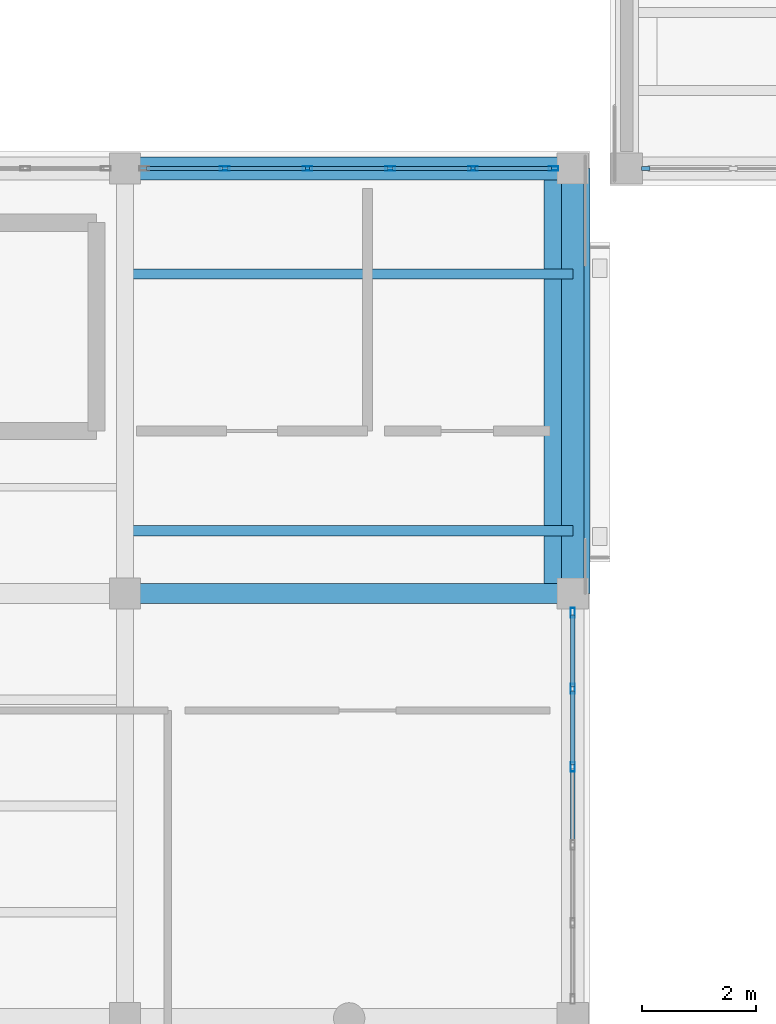
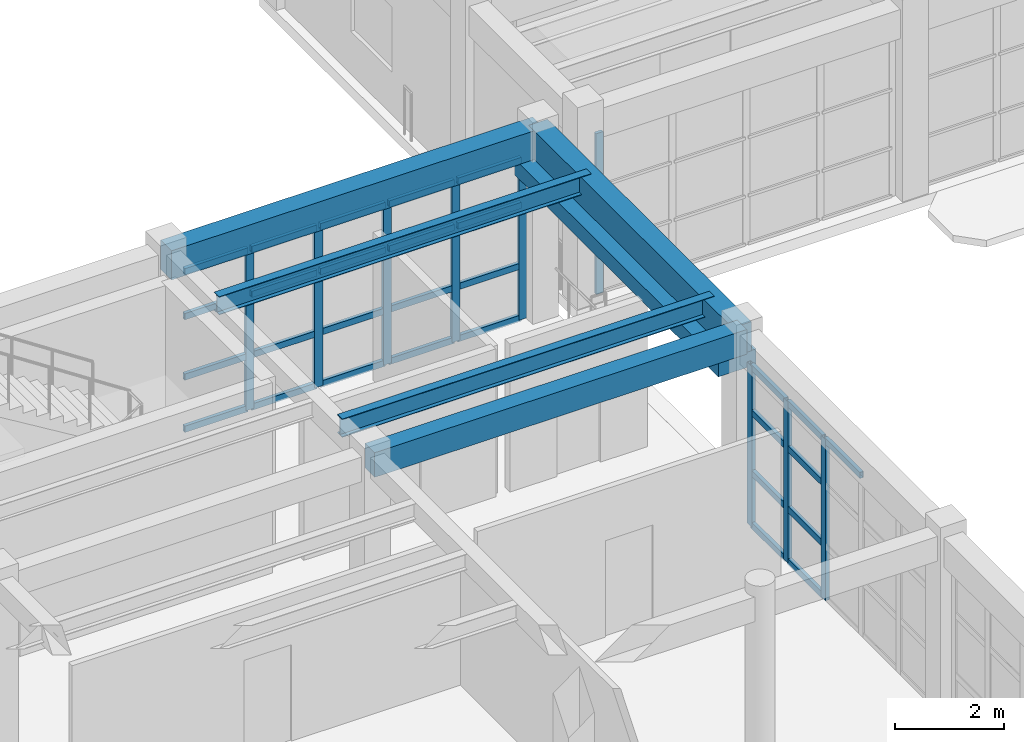
# One storey, part 15 of 85: 38 members, 6 beams, 3 elements without a shape of their own.
"""IFC4 building model written with IfcOpenShell, lengths in metres."""

from ifc_helpers import new_model, si_unit, direction, frame, origin, origin_2d, place, context, subcontext, project, spatial, rectangle, hollow_rectangle, i_section, extrude, material, layer, layer_set, material_profile, profile_set, type_object, element, aggregate, save


model = new_model("IFC4")

# Units and contexts
model_context = context("Model", 3, precision=1e-05, world=origin(), true_north=direction((0.0, 1.0)))
body_context = subcontext(model_context, "Body", "Model", "MODEL_VIEW")
ifc_project = project(units=[si_unit("LENGTHUNIT", "METRE"), si_unit("AREAUNIT", "SQUARE_METRE"), si_unit("VOLUMEUNIT", "CUBIC_METRE"), si_unit("PLANEANGLEUNIT", "RADIAN"), si_unit("MASSUNIT", "GRAM", prefix="KILO")], contexts=[model_context])

# Site, building, storey
site_placement = place(None, origin())
site = spatial("IfcSite", under=ifc_project, at=site_placement, CompositionType="ELEMENT")
building_placement = place(site_placement, origin())
building = spatial("IfcBuilding", under=site, at=building_placement, Name="Candilejo Ridge Gondola Terminal", CompositionType="ELEMENT")
storey_placement = place(building_placement, frame((0.0, 0.0, 4.5)))
storey = spatial("IfcBuildingStorey", under=building, at=storey_placement, Name="L01", CompositionType="ELEMENT", Elevation=4.5)

# Curtain wall, members
ifc_material_1 = material(Name="Anodised aluminium AA 6063-T6", Category="aluminium")
ifc_layer_1 = layer(ifc_material_1, 0.169921875)
ifc_layer_set_1 = layer_set([ifc_layer_1], Name="ARC-CW-CONCOURSE-3600-725X359")
curtain_wall_type_1 = type_object("IfcCurtainWallType", Name="ARC-CW-CONCOURSE-3600-725X359", PredefinedType="NOTDEFINED", material=ifc_layer_set_1)
curtain_wall_1_placement = place(storey_placement, origin())
curtain_wall_1 = element("IfcCurtainWall", 1, at=curtain_wall_1_placement, inside=storey, type_object=curtain_wall_type_1, Name="Curtain wall V1 L01-018", PredefinedType="NOTDEFINED")
ifc_material_2 = material(Name="Anodised aluminium AA 6063-T6", Category="aluminium")
ifc_material_profile_1 = material_profile(ifc_material_2, hollow_rectangle(XDim=0.074951171875, YDim=0.169921875, WallThickness=0.00390625, at=origin_2d()))
ifc_profile_set_1 = profile_set([ifc_material_profile_1], Name="Anodised aluminium AA 6063-T6")
member_type_1 = type_object("IfcMemberType", Name="ARC-CW-MULLION", PredefinedType="MULLION", material=ifc_profile_set_1)
member_1_placement = place(storey_placement, frame((37.60009765625, 25.699951171875, 0.0), z_axis=(0.0, 0.0, 1.0), x_axis=(0.0, 1.0, 0.0)))
member_1 = element("IfcMember", 2, at=member_1_placement, type_object=member_type_1, Name="CW-72X35 mullion 2", PredefinedType="MULLION", context=body_context, shape_type="SweptSolid", body=[
    extrude(hollow_rectangle(XDim=0.074951171875, YDim=0.169921875, WallThickness=0.00390625, at=origin_2d()), origin(), (0.0, 0.0, 1.0), 3.590087890625),
])
member_2_placement = place(storey_placement, frame((39.050048828125, 25.699951171875, 0.0), z_axis=(0.0, 0.0, 1.0), x_axis=(0.0, 1.0, 0.0)))
member_2 = element("IfcMember", 3, at=member_2_placement, type_object=member_type_1, Name="CW-72X35 mullion 3", PredefinedType="MULLION", context=body_context, shape_type="SweptSolid", body=[
    extrude(hollow_rectangle(XDim=0.074951171875, YDim=0.169921875, WallThickness=0.00390625, at=origin_2d()), origin(), (0.0, 0.0, 1.0), 3.590087890625),
])
member_3_placement = place(storey_placement, frame((40.5, 25.699951171875, 0.0), z_axis=(0.0, 0.0, 1.0), x_axis=(0.0, 1.0, 0.0)))
member_3 = element("IfcMember", 4, at=member_3_placement, type_object=member_type_1, Name="CW-72X35 mullion 4", PredefinedType="MULLION", context=body_context, shape_type="SweptSolid", body=[
    extrude(hollow_rectangle(XDim=0.074951171875, YDim=0.169921875, WallThickness=0.00390625, at=origin_2d()), origin(), (0.0, 0.0, 1.0), 3.590087890625),
])
member_4_placement = place(storey_placement, frame((41.949951171875, 25.699951171875, 0.0), z_axis=(0.0, 0.0, 1.0), x_axis=(0.0, 1.0, 0.0)))
member_4 = element("IfcMember", 5, at=member_4_placement, type_object=member_type_1, Name="CW-72X35 mullion 5", PredefinedType="MULLION", context=body_context, shape_type="SweptSolid", body=[
    extrude(hollow_rectangle(XDim=0.074951171875, YDim=0.169921875, WallThickness=0.00390625, at=origin_2d()), origin(), (0.0, 0.0, 1.0), 3.590087890625),
])
member_5_placement = place(storey_placement, frame((43.362548828125, 25.699951171875, 0.0), z_axis=(0.0, 0.0, 1.0), x_axis=(0.0, 1.0, 0.0)))
member_5 = element("IfcMember", 6, at=member_5_placement, type_object=member_type_1, Name="CW-72X35 mullion 6", PredefinedType="MULLION", context=body_context, shape_type="SweptSolid", body=[
    extrude(hollow_rectangle(XDim=0.074951171875, YDim=0.169921875, WallThickness=0.00390625, at=origin_2d()), origin(), (0.0, 0.0, 1.0), 3.590087890625),
])

ifc_material_3 = material(Name="Anodised aluminium AA 6063-T6", Category="aluminium")
ifc_layer_2 = layer(ifc_material_3, 0.169921875)
ifc_layer_set_2 = layer_set([ifc_layer_2], Name="ARC-CW-CONCOURSE-3600-685X359")
curtain_wall_type_2 = type_object("IfcCurtainWallType", Name="ARC-CW-CONCOURSE-3600-685X359", PredefinedType="NOTDEFINED", material=ifc_layer_set_2)
curtain_wall_2_placement = place(storey_placement, origin())
curtain_wall_2 = element("IfcCurtainWall", 7, at=curtain_wall_2_placement, inside=storey, type_object=curtain_wall_type_2, Name="Curtain wall V1 L01-025", PredefinedType="NOTDEFINED")
member_6_placement = place(storey_placement, frame((43.699951171875, 15.2099609375, 0.0), z_axis=(0.0, 0.0, 1.0), x_axis=(-1.0, 0.0, 0.0)))
member_6 = element("IfcMember", 8, at=member_6_placement, type_object=member_type_1, Name="CW-68X35 mullion 4", PredefinedType="MULLION", context=body_context, shape_type="SweptSolid", body=[
    extrude(hollow_rectangle(XDim=0.074951171875, YDim=0.169921875, WallThickness=0.00390625, at=origin_2d()), origin(), (0.0, 0.0, 1.0), 3.590087890625),
])
member_7_placement = place(storey_placement, frame((43.699951171875, 16.580078125, 0.0), z_axis=(0.0, 0.0, 1.0), x_axis=(-1.0, 0.0, 0.0)))
member_7 = element("IfcMember", 9, at=member_7_placement, type_object=member_type_1, Name="CW-68X35 mullion 5", PredefinedType="MULLION", context=body_context, shape_type="SweptSolid", body=[
    extrude(hollow_rectangle(XDim=0.074951171875, YDim=0.169921875, WallThickness=0.00390625, at=origin_2d()), origin(), (0.0, 0.0, 1.0), 3.590087890625),
])
member_8_placement = place(storey_placement, frame((43.699951171875, 17.91259765625, 0.0), z_axis=(0.0, 0.0, 1.0), x_axis=(-1.0, 0.0, 0.0)))
member_8 = element("IfcMember", 10, at=member_8_placement, type_object=member_type_1, Name="CW-68X35 mullion 6", PredefinedType="MULLION", context=body_context, shape_type="SweptSolid", body=[
    extrude(hollow_rectangle(XDim=0.074951171875, YDim=0.169921875, WallThickness=0.00390625, at=origin_2d()), origin(), (0.0, 0.0, 1.0), 3.590087890625),
])

# Curtain wall, member
ifc_material_4 = material(Name="Anodised aluminium AA 6063-T6", Category="aluminium")
ifc_layer_3 = layer(ifc_material_4, 0.169921875)
ifc_layer_set_3 = layer_set([ifc_layer_3], Name="ARC-CW-DRUM-3400-625X359")
curtain_wall_type_3 = type_object("IfcCurtainWallType", Name="ARC-CW-DRUM-3400-625X359", PredefinedType="NOTDEFINED", material=ifc_layer_set_3)
curtain_wall_3_placement = place(storey_placement, origin())
curtain_wall_3 = element("IfcCurtainWall", 11, at=curtain_wall_3_placement, inside=storey, type_object=curtain_wall_type_3, Name="Curtain wall V2 L01-035", PredefinedType="NOTDEFINED")
ifc_material_5 = material(Name="Anodised aluminium AA 6063-T6", Category="aluminium")
ifc_material_profile_2 = material_profile(ifc_material_5, rectangle(XDim=0.06494140625, YDim=0.14990234375, at=origin_2d()))
ifc_profile_set_2 = profile_set([ifc_material_profile_2], Name="Anodised aluminium AA 6063-T6")
member_type_2 = type_object("IfcMemberType", Name="ARC-CW-MULLION-150", PredefinedType="MULLION", material=ifc_profile_set_2)
member_9_placement = place(storey_placement, frame((44.982421875, 25.699951171875, 0.0), z_axis=(0.0, 0.0, 1.0), x_axis=(0.0, 1.0, 0.0)))
member_9 = element("IfcMember", 12, at=member_9_placement, type_object=member_type_2, Name="CW-62X35 mullion 1", PredefinedType="MULLION", context=body_context, shape_type="SweptSolid", body=[
    extrude(rectangle(XDim=0.06494140625, YDim=0.14990234375, at=origin_2d()), origin(), (0.0, 0.0, 1.0), 3.590087890625),
])
aggregate(curtain_wall_3, [member_9])

# Member
ifc_material_6 = material(Name="Anodised aluminium AA 6063-T6", Category="aluminium")
ifc_material_profile_3 = material_profile(ifc_material_6, hollow_rectangle(XDim=0.074951171875, YDim=0.139892578125, WallThickness=0.00390625, at=origin_2d()))
ifc_profile_set_3 = profile_set([ifc_material_profile_3], Name="Anodised aluminium AA 6063-T6")
member_type_3 = type_object("IfcMemberType", Name="ARC-CW-TRANSOM", PredefinedType="USERDEFINED", material=ifc_profile_set_3)
member_10_placement = place(storey_placement, frame((36.22509765625, 25.699951171875, 0.03759765625), z_axis=(1.0, 0.0, 0.0), x_axis=(0.0, 1.0, 0.0)))
member_10 = element("IfcMember", 13, at=member_10_placement, type_object=member_type_3, Name="CW-72X35 transom 1.1", ObjectType="TRANSOM", PredefinedType="USERDEFINED", context=body_context, shape_type="SweptSolid", body=[
    extrude(hollow_rectangle(XDim=0.074951171875, YDim=0.139892578125, WallThickness=0.00390625, at=origin_2d()), origin(), (0.0, 0.0, 1.0), 1.33740234375),
])

member_11_placement = place(storey_placement, frame((36.22509765625, 25.699951171875, 1.199951171875), z_axis=(1.0, 0.0, 0.0), x_axis=(0.0, 1.0, 0.0)))
member_11 = element("IfcMember", 14, at=member_11_placement, type_object=member_type_3, Name="CW-72X35 transom 1.2", ObjectType="TRANSOM", PredefinedType="USERDEFINED", context=body_context, shape_type="SweptSolid", body=[
    extrude(hollow_rectangle(XDim=0.074951171875, YDim=0.139892578125, WallThickness=0.00390625, at=origin_2d()), origin(), (0.0, 0.0, 1.0), 1.33740234375),
])

member_12_placement = place(storey_placement, frame((36.22509765625, 25.699951171875, 2.550048828125), z_axis=(1.0, 0.0, 0.0), x_axis=(0.0, 1.0, 0.0)))
member_12 = element("IfcMember", 15, at=member_12_placement, type_object=member_type_3, Name="CW-72X35 transom 1.3", ObjectType="TRANSOM", PredefinedType="USERDEFINED", context=body_context, shape_type="SweptSolid", body=[
    extrude(hollow_rectangle(XDim=0.074951171875, YDim=0.139892578125, WallThickness=0.00390625, at=origin_2d()), origin(), (0.0, 0.0, 1.0), 1.33740234375),
])

member_13_placement = place(storey_placement, frame((36.22509765625, 25.699951171875, 3.552490234375), z_axis=(1.0, 0.0, 0.0), x_axis=(0.0, 1.0, 0.0)))
member_13 = element("IfcMember", 16, at=member_13_placement, type_object=member_type_3, Name="CW-72X35 transom 1.4", ObjectType="TRANSOM", PredefinedType="USERDEFINED", context=body_context, shape_type="SweptSolid", body=[
    extrude(hollow_rectangle(XDim=0.074951171875, YDim=0.139892578125, WallThickness=0.00390625, at=origin_2d()), origin(), (0.0, 0.0, 1.0), 1.33740234375),
])

member_14_placement = place(storey_placement, frame((37.637451171875, 25.699951171875, 0.03759765625), z_axis=(1.0, 0.0, 0.0), x_axis=(0.0, 1.0, 0.0)))
member_14 = element("IfcMember", 17, at=member_14_placement, type_object=member_type_3, Name="CW-72X35 transom 2.1", ObjectType="TRANSOM", PredefinedType="USERDEFINED", context=body_context, shape_type="SweptSolid", body=[
    extrude(hollow_rectangle(XDim=0.074951171875, YDim=0.139892578125, WallThickness=0.00390625, at=origin_2d()), origin(), (0.0, 0.0, 1.0), 1.375),
])

member_15_placement = place(storey_placement, frame((37.637451171875, 25.699951171875, 1.199951171875), z_axis=(1.0, 0.0, 0.0), x_axis=(0.0, 1.0, 0.0)))
member_15 = element("IfcMember", 18, at=member_15_placement, type_object=member_type_3, Name="CW-72X35 transom 2.2", ObjectType="TRANSOM", PredefinedType="USERDEFINED", context=body_context, shape_type="SweptSolid", body=[
    extrude(hollow_rectangle(XDim=0.074951171875, YDim=0.139892578125, WallThickness=0.00390625, at=origin_2d()), origin(), (0.0, 0.0, 1.0), 1.375),
])

member_16_placement = place(storey_placement, frame((37.637451171875, 25.699951171875, 2.550048828125), z_axis=(1.0, 0.0, 0.0), x_axis=(0.0, 1.0, 0.0)))
member_16 = element("IfcMember", 19, at=member_16_placement, type_object=member_type_3, Name="CW-72X35 transom 2.3", ObjectType="TRANSOM", PredefinedType="USERDEFINED", context=body_context, shape_type="SweptSolid", body=[
    extrude(hollow_rectangle(XDim=0.074951171875, YDim=0.139892578125, WallThickness=0.00390625, at=origin_2d()), origin(), (0.0, 0.0, 1.0), 1.375),
])

member_17_placement = place(storey_placement, frame((37.637451171875, 25.699951171875, 3.552490234375), z_axis=(1.0, 0.0, 0.0), x_axis=(0.0, 1.0, 0.0)))
member_17 = element("IfcMember", 20, at=member_17_placement, type_object=member_type_3, Name="CW-72X35 transom 2.4", ObjectType="TRANSOM", PredefinedType="USERDEFINED", context=body_context, shape_type="SweptSolid", body=[
    extrude(hollow_rectangle(XDim=0.074951171875, YDim=0.139892578125, WallThickness=0.00390625, at=origin_2d()), origin(), (0.0, 0.0, 1.0), 1.375),
])

member_18_placement = place(storey_placement, frame((39.08740234375, 25.699951171875, 0.03759765625), z_axis=(1.0, 0.0, 0.0), x_axis=(0.0, 1.0, 0.0)))
member_18 = element("IfcMember", 21, at=member_18_placement, type_object=member_type_3, Name="CW-72X35 transom 3.1", ObjectType="TRANSOM", PredefinedType="USERDEFINED", context=body_context, shape_type="SweptSolid", body=[
    extrude(hollow_rectangle(XDim=0.074951171875, YDim=0.139892578125, WallThickness=0.00390625, at=origin_2d()), origin(), (0.0, 0.0, 1.0), 1.375),
])

member_19_placement = place(storey_placement, frame((39.08740234375, 25.699951171875, 1.199951171875), z_axis=(1.0, 0.0, 0.0), x_axis=(0.0, 1.0, 0.0)))
member_19 = element("IfcMember", 22, at=member_19_placement, type_object=member_type_3, Name="CW-72X35 transom 3.2", ObjectType="TRANSOM", PredefinedType="USERDEFINED", context=body_context, shape_type="SweptSolid", body=[
    extrude(hollow_rectangle(XDim=0.074951171875, YDim=0.139892578125, WallThickness=0.00390625, at=origin_2d()), origin(), (0.0, 0.0, 1.0), 1.375),
])

member_20_placement = place(storey_placement, frame((39.08740234375, 25.699951171875, 2.550048828125), z_axis=(1.0, 0.0, 0.0), x_axis=(0.0, 1.0, 0.0)))
member_20 = element("IfcMember", 23, at=member_20_placement, type_object=member_type_3, Name="CW-72X35 transom 3.3", ObjectType="TRANSOM", PredefinedType="USERDEFINED", context=body_context, shape_type="SweptSolid", body=[
    extrude(hollow_rectangle(XDim=0.074951171875, YDim=0.139892578125, WallThickness=0.00390625, at=origin_2d()), origin(), (0.0, 0.0, 1.0), 1.375),
])

member_21_placement = place(storey_placement, frame((39.08740234375, 25.699951171875, 3.552490234375), z_axis=(1.0, 0.0, 0.0), x_axis=(0.0, 1.0, 0.0)))
member_21 = element("IfcMember", 24, at=member_21_placement, type_object=member_type_3, Name="CW-72X35 transom 3.4", ObjectType="TRANSOM", PredefinedType="USERDEFINED", context=body_context, shape_type="SweptSolid", body=[
    extrude(hollow_rectangle(XDim=0.074951171875, YDim=0.139892578125, WallThickness=0.00390625, at=origin_2d()), origin(), (0.0, 0.0, 1.0), 1.375),
])

member_22_placement = place(storey_placement, frame((40.53759765625, 25.699951171875, 0.03759765625), z_axis=(1.0, 0.0, 0.0), x_axis=(0.0, 1.0, 0.0)))
member_22 = element("IfcMember", 25, at=member_22_placement, type_object=member_type_3, Name="CW-72X35 transom 4.1", ObjectType="TRANSOM", PredefinedType="USERDEFINED", context=body_context, shape_type="SweptSolid", body=[
    extrude(hollow_rectangle(XDim=0.074951171875, YDim=0.139892578125, WallThickness=0.00390625, at=origin_2d()), origin(), (0.0, 0.0, 1.0), 1.375),
])

member_23_placement = place(storey_placement, frame((40.53759765625, 25.699951171875, 1.199951171875), z_axis=(1.0, 0.0, 0.0), x_axis=(0.0, 1.0, 0.0)))
member_23 = element("IfcMember", 26, at=member_23_placement, type_object=member_type_3, Name="CW-72X35 transom 4.2", ObjectType="TRANSOM", PredefinedType="USERDEFINED", context=body_context, shape_type="SweptSolid", body=[
    extrude(hollow_rectangle(XDim=0.074951171875, YDim=0.139892578125, WallThickness=0.00390625, at=origin_2d()), origin(), (0.0, 0.0, 1.0), 1.375),
])

member_24_placement = place(storey_placement, frame((40.53759765625, 25.699951171875, 2.550048828125), z_axis=(1.0, 0.0, 0.0), x_axis=(0.0, 1.0, 0.0)))
member_24 = element("IfcMember", 27, at=member_24_placement, type_object=member_type_3, Name="CW-72X35 transom 4.3", ObjectType="TRANSOM", PredefinedType="USERDEFINED", context=body_context, shape_type="SweptSolid", body=[
    extrude(hollow_rectangle(XDim=0.074951171875, YDim=0.139892578125, WallThickness=0.00390625, at=origin_2d()), origin(), (0.0, 0.0, 1.0), 1.375),
])

member_25_placement = place(storey_placement, frame((40.53759765625, 25.699951171875, 3.552490234375), z_axis=(1.0, 0.0, 0.0), x_axis=(0.0, 1.0, 0.0)))
member_25 = element("IfcMember", 28, at=member_25_placement, type_object=member_type_3, Name="CW-72X35 transom 4.4", ObjectType="TRANSOM", PredefinedType="USERDEFINED", context=body_context, shape_type="SweptSolid", body=[
    extrude(hollow_rectangle(XDim=0.074951171875, YDim=0.139892578125, WallThickness=0.00390625, at=origin_2d()), origin(), (0.0, 0.0, 1.0), 1.375),
])

member_26_placement = place(storey_placement, frame((41.987548828125, 25.699951171875, 0.03759765625), z_axis=(1.0, 0.0, 0.0), x_axis=(0.0, 1.0, 0.0)))
member_26 = element("IfcMember", 29, at=member_26_placement, type_object=member_type_3, Name="CW-72X35 transom 5.1", ObjectType="TRANSOM", PredefinedType="USERDEFINED", context=body_context, shape_type="SweptSolid", body=[
    extrude(hollow_rectangle(XDim=0.074951171875, YDim=0.139892578125, WallThickness=0.00390625, at=origin_2d()), origin(), (0.0, 0.0, 1.0), 1.33740234375),
])

member_27_placement = place(storey_placement, frame((41.987548828125, 25.699951171875, 1.199951171875), z_axis=(1.0, 0.0, 0.0), x_axis=(0.0, 1.0, 0.0)))
member_27 = element("IfcMember", 30, at=member_27_placement, type_object=member_type_3, Name="CW-72X35 transom 5.2", ObjectType="TRANSOM", PredefinedType="USERDEFINED", context=body_context, shape_type="SweptSolid", body=[
    extrude(hollow_rectangle(XDim=0.074951171875, YDim=0.139892578125, WallThickness=0.00390625, at=origin_2d()), origin(), (0.0, 0.0, 1.0), 1.33740234375),
])

member_28_placement = place(storey_placement, frame((41.987548828125, 25.699951171875, 2.550048828125), z_axis=(1.0, 0.0, 0.0), x_axis=(0.0, 1.0, 0.0)))
member_28 = element("IfcMember", 31, at=member_28_placement, type_object=member_type_3, Name="CW-72X35 transom 5.3", ObjectType="TRANSOM", PredefinedType="USERDEFINED", context=body_context, shape_type="SweptSolid", body=[
    extrude(hollow_rectangle(XDim=0.074951171875, YDim=0.139892578125, WallThickness=0.00390625, at=origin_2d()), origin(), (0.0, 0.0, 1.0), 1.33740234375),
])

member_29_placement = place(storey_placement, frame((41.987548828125, 25.699951171875, 3.552490234375), z_axis=(1.0, 0.0, 0.0), x_axis=(0.0, 1.0, 0.0)))
member_29 = element("IfcMember", 32, at=member_29_placement, type_object=member_type_3, Name="CW-72X35 transom 5.4", ObjectType="TRANSOM", PredefinedType="USERDEFINED", context=body_context, shape_type="SweptSolid", body=[
    extrude(hollow_rectangle(XDim=0.074951171875, YDim=0.139892578125, WallThickness=0.00390625, at=origin_2d()), origin(), (0.0, 0.0, 1.0), 1.33740234375),
])

aggregate(curtain_wall_1, [member_1, member_2, member_3, member_4, member_5, member_10, member_11, member_12, member_13, member_14, member_15, member_16, member_17, member_18, member_19, member_20, member_21, member_22, member_23, member_24, member_25, member_26, member_27, member_28, member_29])

member_30_placement = place(storey_placement, frame((43.699951171875, 13.87744140625, 3.552490234375), z_axis=(0.0, 1.0, 0.0), x_axis=(-1.0, 0.0, 0.0)))
member_30 = element("IfcMember", 33, at=member_30_placement, type_object=member_type_3, Name="CW-68X35 transom 3.4", ObjectType="TRANSOM", PredefinedType="USERDEFINED", context=body_context, shape_type="SweptSolid", body=[
    extrude(hollow_rectangle(XDim=0.074951171875, YDim=0.139892578125, WallThickness=0.00390625, at=origin_2d()), origin(), (0.0, 0.0, 1.0), 1.295166015625),
])

member_31_placement = place(storey_placement, frame((43.699951171875, 15.24755859375, 0.03759765625), z_axis=(0.0, 1.0, 0.0), x_axis=(-1.0, 0.0, 0.0)))
member_31 = element("IfcMember", 34, at=member_31_placement, type_object=member_type_3, Name="CW-68X35 transom 4.1", ObjectType="TRANSOM", PredefinedType="USERDEFINED", context=body_context, shape_type="SweptSolid", body=[
    extrude(hollow_rectangle(XDim=0.074951171875, YDim=0.139892578125, WallThickness=0.00390625, at=origin_2d()), origin(), (0.0, 0.0, 1.0), 1.294921875),
])

member_32_placement = place(storey_placement, frame((43.699951171875, 15.24755859375, 1.199951171875), z_axis=(0.0, 1.0, 0.0), x_axis=(-1.0, 0.0, 0.0)))
member_32 = element("IfcMember", 35, at=member_32_placement, type_object=member_type_3, Name="CW-68X35 transom 4.2", ObjectType="TRANSOM", PredefinedType="USERDEFINED", context=body_context, shape_type="SweptSolid", body=[
    extrude(hollow_rectangle(XDim=0.074951171875, YDim=0.139892578125, WallThickness=0.00390625, at=origin_2d()), origin(), (0.0, 0.0, 1.0), 1.294921875),
])

member_33_placement = place(storey_placement, frame((43.699951171875, 15.24755859375, 2.550048828125), z_axis=(0.0, 1.0, 0.0), x_axis=(-1.0, 0.0, 0.0)))
member_33 = element("IfcMember", 36, at=member_33_placement, type_object=member_type_3, Name="CW-68X35 transom 4.3", ObjectType="TRANSOM", PredefinedType="USERDEFINED", context=body_context, shape_type="SweptSolid", body=[
    extrude(hollow_rectangle(XDim=0.074951171875, YDim=0.139892578125, WallThickness=0.00390625, at=origin_2d()), origin(), (0.0, 0.0, 1.0), 1.294921875),
])

member_34_placement = place(storey_placement, frame((43.699951171875, 15.24755859375, 3.552490234375), z_axis=(0.0, 1.0, 0.0), x_axis=(-1.0, 0.0, 0.0)))
member_34 = element("IfcMember", 37, at=member_34_placement, type_object=member_type_3, Name="CW-68X35 transom 4.4", ObjectType="TRANSOM", PredefinedType="USERDEFINED", context=body_context, shape_type="SweptSolid", body=[
    extrude(hollow_rectangle(XDim=0.074951171875, YDim=0.139892578125, WallThickness=0.00390625, at=origin_2d()), origin(), (0.0, 0.0, 1.0), 1.294921875),
])

member_35_placement = place(storey_placement, frame((43.699951171875, 16.617431640625, 0.03759765625), z_axis=(0.0, 1.0, 0.0), x_axis=(-1.0, 0.0, 0.0)))
member_35 = element("IfcMember", 38, at=member_35_placement, type_object=member_type_3, Name="CW-68X35 transom 5.1", ObjectType="TRANSOM", PredefinedType="USERDEFINED", context=body_context, shape_type="SweptSolid", body=[
    extrude(hollow_rectangle(XDim=0.074951171875, YDim=0.139892578125, WallThickness=0.00390625, at=origin_2d()), origin(), (0.0, 0.0, 1.0), 1.257568359375),
])

member_36_placement = place(storey_placement, frame((43.699951171875, 16.617431640625, 1.199951171875), z_axis=(0.0, 1.0, 0.0), x_axis=(-1.0, 0.0, 0.0)))
member_36 = element("IfcMember", 39, at=member_36_placement, type_object=member_type_3, Name="CW-68X35 transom 5.2", ObjectType="TRANSOM", PredefinedType="USERDEFINED", context=body_context, shape_type="SweptSolid", body=[
    extrude(hollow_rectangle(XDim=0.074951171875, YDim=0.139892578125, WallThickness=0.00390625, at=origin_2d()), origin(), (0.0, 0.0, 1.0), 1.257568359375),
])

member_37_placement = place(storey_placement, frame((43.699951171875, 16.617431640625, 2.550048828125), z_axis=(0.0, 1.0, 0.0), x_axis=(-1.0, 0.0, 0.0)))
member_37 = element("IfcMember", 40, at=member_37_placement, type_object=member_type_3, Name="CW-68X35 transom 5.3", ObjectType="TRANSOM", PredefinedType="USERDEFINED", context=body_context, shape_type="SweptSolid", body=[
    extrude(hollow_rectangle(XDim=0.074951171875, YDim=0.139892578125, WallThickness=0.00390625, at=origin_2d()), origin(), (0.0, 0.0, 1.0), 1.257568359375),
])

member_38_placement = place(storey_placement, frame((43.699951171875, 16.617431640625, 3.552490234375), z_axis=(0.0, 1.0, 0.0), x_axis=(-1.0, 0.0, 0.0)))
member_38 = element("IfcMember", 41, at=member_38_placement, type_object=member_type_3, Name="CW-68X35 transom 5.4", ObjectType="TRANSOM", PredefinedType="USERDEFINED", context=body_context, shape_type="SweptSolid", body=[
    extrude(hollow_rectangle(XDim=0.074951171875, YDim=0.139892578125, WallThickness=0.00390625, at=origin_2d()), origin(), (0.0, 0.0, 1.0), 1.257568359375),
])

aggregate(curtain_wall_2, [member_6, member_7, member_8, member_30, member_31, member_32, member_33, member_34, member_35, member_36, member_37, member_38])

# Beams
ifc_material_7 = material(Name="Concrete f'c 35 MPa (C35/45)", Category="concrete")
ifc_material_profile_4 = material_profile(ifc_material_7, rectangle(XDim=0.35009765625, YDim=0.550048828125, at=origin_2d()))
ifc_profile_set_4 = profile_set([ifc_material_profile_4], Name="Concrete f'c 35 MPa (C35/45)")
beam_type_1 = type_object("IfcBeamType", Name="STR-BM-RC350X550", PredefinedType="BEAM", material=ifc_profile_set_4)
beam_1_placement = place(storey_placement, frame((35.85009765625, 18.25, 3.97509765625), z_axis=(1.0, 0.0, 0.0), x_axis=(0.0, 1.0, 0.0)))
element("IfcBeam", 42, at=beam_1_placement, inside=storey, type_object=beam_type_1, Name="Beam X V1 L01 X05-X06@Y03", PredefinedType="BEAM", context=body_context, shape_type="SweptSolid", body=[
    extrude(rectangle(XDim=0.35009765625, YDim=0.550048828125, at=origin_2d()), origin(), (0.0, 0.0, 1.0), 7.849853515625),
])
ifc_material_8 = material(Name="Concrete f'c 35 MPa (C35/45)", Category="concrete")
ifc_material_profile_5 = material_profile(ifc_material_8, rectangle(XDim=0.800048828125, YDim=0.35009765625, at=origin_2d()))
ifc_profile_set_5 = profile_set([ifc_material_profile_5], Name="Concrete f'c 35 MPa (C35/45)")
beam_type_2 = type_object("IfcBeamType", Name="STR-CRB-RC800X350", PredefinedType="SPANDREL", material=ifc_profile_set_5)
beam_2_placement = place(storey_placement, frame((43.60009765625, 18.25, 3.43505859375), z_axis=(0.0, 1.0, 0.0), x_axis=(-1.0, 0.0, 0.0)))
element("IfcBeam", 43, at=beam_2_placement, inside=storey, type_object=beam_type_2, Name="Seismic bridge 800 mm RC corbel seat LB-SJ1-L02", PredefinedType="SPANDREL", context=body_context, shape_type="SweptSolid", body=[
    extrude(rectangle(XDim=0.800048828125, YDim=0.35009765625, at=origin_2d()), origin(), (0.0, 0.0, 1.0), 7.449951171875),
])
ifc_material_9 = material(Name="Steel ASTM A992 Grade 50", Category="steel")
ifc_material_profile_6 = material_profile(ifc_material_9, i_section(OverallWidth=0.177978515625, OverallDepth=0.406982421875, WebThickness=0.0078125, FlangeThickness=0.0126953125, at=origin_2d()))
ifc_profile_set_6 = profile_set([ifc_material_profile_6], Name="Steel ASTM A992 Grade 50")
beam_type_3 = type_object("IfcBeamType", Name="STR-JST-W410X60", PredefinedType="JOIST", material=ifc_profile_set_6)
for number, where, z_axis, x_axis, name in (
    (44, (35.85009765625, 19.35009765625, 4.076416015625), (1.0, 0.0, 0.0), (0.0, 1.0, 0.0), "Link bridge stringer beam LB-SJ1-L02-S"),
    (45, (35.85009765625, 23.85009765625, 4.076416015625), (1.0, 0.0, 0.0), (0.0, 1.0, 0.0), "Link bridge stringer beam LB-SJ1-L02-N"),
):
    element("IfcBeam", number, at=place(storey_placement, frame(where, z_axis=z_axis, x_axis=x_axis)), inside=storey, type_object=beam_type_3, Name=name, PredefinedType="JOIST", context=body_context, shape_type="SweptSolid", body=[
        extrude(i_section(OverallWidth=0.177978515625, OverallDepth=0.406982421875, WebThickness=0.0078125, FlangeThickness=0.0126953125, at=origin_2d()), origin(), (0.0, 0.0, 1.0), 7.849853515625),
    ])
ifc_material_10 = material(Name="Concrete f'c 35 MPa (C35/45)", Category="concrete")
ifc_material_profile_7 = material_profile(ifc_material_10, rectangle(XDim=0.39990234375, YDim=0.64990234375, at=origin_2d()))
ifc_profile_set_7 = profile_set([ifc_material_profile_7], Name="Concrete f'c 35 MPa (C35/45)")
beam_type_4 = type_object("IfcBeamType", Name="STR-SPN-RC400X650", PredefinedType="SPANDREL", material=ifc_profile_set_7)
beam_3_placement = place(storey_placement, frame((35.85009765625, 25.699951171875, 3.925048828125), z_axis=(1.0, 0.0, 0.0), x_axis=(0.0, 1.0, 0.0)))
element("IfcBeam", 46, at=beam_3_placement, inside=storey, type_object=beam_type_4, Name="Beam X V1 L01 X05-X06@Y05", PredefinedType="SPANDREL", context=body_context, shape_type="SweptSolid", body=[
    extrude(rectangle(XDim=0.39990234375, YDim=0.64990234375, at=origin_2d()), origin(), (0.0, 0.0, 1.0), 7.849853515625),
])
beam_4_placement = place(storey_placement, frame((43.699951171875, 18.25, 3.925048828125), z_axis=(0.0, 1.0, 0.0), x_axis=(-1.0, 0.0, 0.0)))
element("IfcBeam", 47, at=beam_4_placement, inside=storey, type_object=beam_type_4, Name="Beam Y V1 L01 Y03-Y05@X06", PredefinedType="SPANDREL", context=body_context, shape_type="SweptSolid", body=[
    extrude(rectangle(XDim=0.39990234375, YDim=0.64990234375, at=origin_2d()), origin(), (0.0, 0.0, 1.0), 7.449951171875),
])

save(model, "model.ifc")
